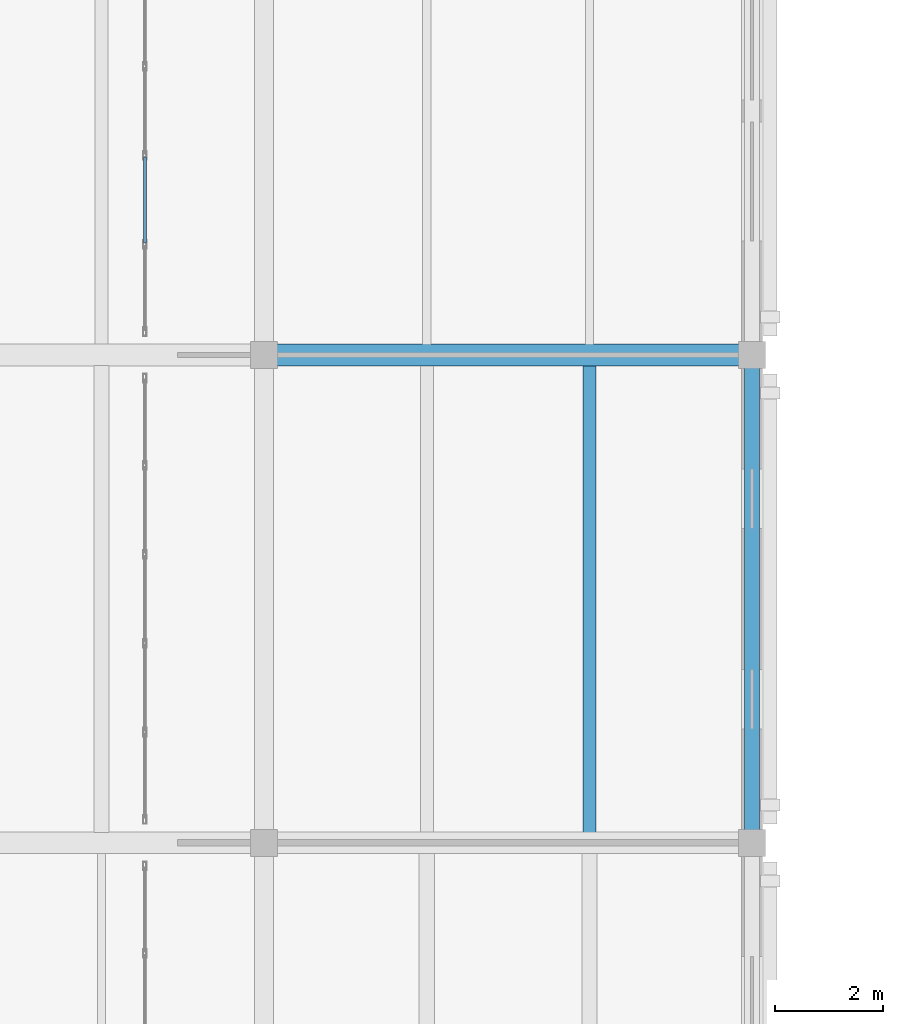
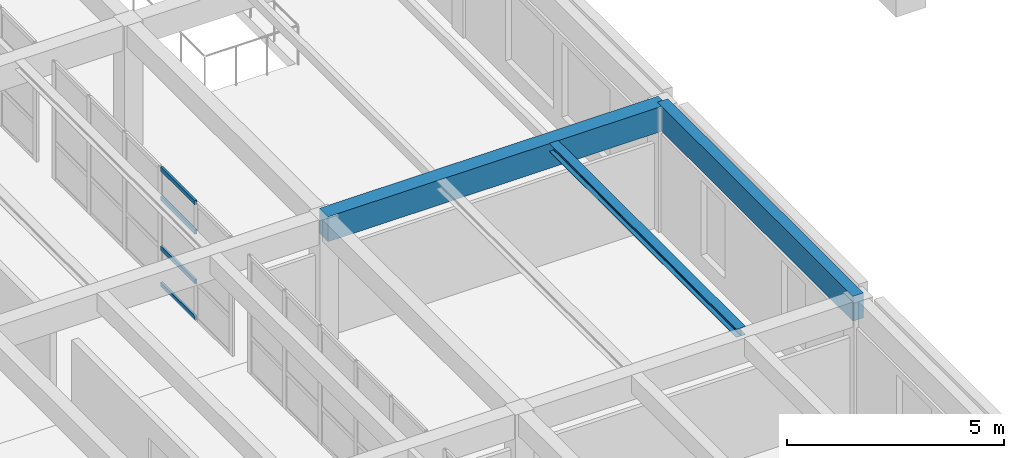
# One storey, part 16 of 156: 4 members, 3 beams, 1 element without a shape of its own.
"""IFC4 building model written with IfcOpenShell, lengths in metres."""

import ifcopenshell
import ifcopenshell.guid

model = None  # the IFC model being written
_history = None  # IfcOwnerHistory: only IFC2X3 demands one
_inside = {}  # id of a spatial element -> (the spatial element, [elements in it])
_under = {}  # id of a project, library or spatial element -> (it, [spatial elements below it])
_declared = {}  # id of a project -> (the project, [libraries it declares])
_typed = {}  # id of a type object -> (the type object, [elements of that type])
_made_of = {}  # id of a material, layer set ... -> (it, [elements and type objects made of it])


def new_model(schema):
    """Start an empty IFC model of exactly this schema.

    Asked for "IFC4X3", IfcOpenShell would pick the latest addendum, in which some entities
    have other attributes; the version numbers below select the first issue.
    IFC2X3 requires an IfcOwnerHistory on every rooted entity: one is made here for all.
    """
    global model, _history
    if schema == "IFC4X3":
        model = ifcopenshell.file(schema_version=(4, 3, 0, 0))
    else:
        model = ifcopenshell.file(schema=schema)
    _inside.clear()
    _under.clear()
    _declared.clear()
    _typed.clear()
    _made_of.clear()
    _history = None
    if model.schema == "IFC2X3":
        org = make("IfcOrganization", Name="unknown")
        user = make(
            "IfcPersonAndOrganization",
            ThePerson=make("IfcPerson", FamilyName="unknown"),
            TheOrganization=org,
        )
        app = make(
            "IfcApplication",
            ApplicationDeveloper=org,
            Version="unknown",
            ApplicationFullName="unknown",
            ApplicationIdentifier="unknown",
        )
        _history = make(
            "IfcOwnerHistory",
            OwningUser=user,
            OwningApplication=app,
            ChangeAction="ADDED",
            CreationDate=0,
        )
    return model


def make(cls, **values):
    """One entity of the class cls with the attributes given. An attribute that is None is left unset."""
    return model.create_entity(
        cls, **{name: value for name, value in values.items() if value is not None}
    )


def rooted(cls, **values):
    """An entity with a GlobalId (a new one), such as an element, a storey or a relation."""
    return make(cls, GlobalId=ifcopenshell.guid.new(), OwnerHistory=_history, **values)


def si_unit(unit_type, name, prefix=None):
    """IfcSIUnit, for example si_unit("LENGTHUNIT", "METRE", prefix="MILLI")."""
    return make("IfcSIUnit", UnitType=unit_type, Prefix=prefix, Name=name)


def assignment(units):
    """IfcUnitAssignment: the units of a project."""
    return None if units is None else make("IfcUnitAssignment", Units=units)


def point(xyz):
    """IfcCartesianPoint."""
    return None if xyz is None else make("IfcCartesianPoint", Coordinates=xyz)


def direction(xyz):
    """IfcDirection."""
    return None if xyz is None else make("IfcDirection", DirectionRatios=xyz)


def frame(location, z_axis=None, x_axis=None):
    """IfcAxis2Placement3D, a coordinate frame: its origin and axes. An axis left out is left unset."""
    return make(
        "IfcAxis2Placement3D",
        Location=point(location),
        Axis=direction(z_axis),
        RefDirection=direction(x_axis),
    )


def frame_2d(location, x_axis=None):
    """IfcAxis2Placement2D, a coordinate frame in the plane: its origin and x axis."""
    return make(
        "IfcAxis2Placement2D", Location=point(location), RefDirection=direction(x_axis)
    )


def origin():
    """The frame at (0, 0, 0) with its axes left unset."""
    return frame((0.0, 0.0, 0.0))


def origin_2d():
    """The frame at (0, 0) in the plane with its x axis left unset."""
    return frame_2d((0.0, 0.0))


def place(relative_to, where):
    """IfcLocalPlacement: puts the frame where relative to a parent placement (None: the world)."""
    return make(
        "IfcLocalPlacement", PlacementRelTo=relative_to, RelativePlacement=where
    )


def context(
    kind, dimensions, precision=None, world=None, true_north=None, identifier=None
):
    """IfcGeometricRepresentationContext, for example the 3D "Model" context."""
    return make(
        "IfcGeometricRepresentationContext",
        ContextIdentifier=identifier,
        ContextType=kind,
        CoordinateSpaceDimension=dimensions,
        Precision=precision,
        WorldCoordinateSystem=world,
        TrueNorth=true_north,
    )


def subcontext(parent, identifier, kind, view, scale=None):
    """IfcGeometricRepresentationSubContext, for example "Body" below "Model"."""
    return make(
        "IfcGeometricRepresentationSubContext",
        ContextIdentifier=identifier,
        ContextType=kind,
        ParentContext=parent,
        TargetScale=scale,
        TargetView=view,
    )


def project(units=None, contexts=None):
    """IfcProject with its units and contexts."""
    return rooted(
        "IfcProject",
        Name="project",
        RepresentationContexts=contexts,
        UnitsInContext=assignment(units),
    )


def spatial(cls, under=None, at=None, **own):
    """A site, building, storey or space (cls), placed at a placement, below another one or the project."""
    s = rooted(cls, ObjectPlacement=at, **own)
    if under is not None:
        _under.setdefault(under.id(), (under, []))[1].append(s)
    return s


def profile(cls, at=None, kind="AREA", **sizes):
    """A parametric profile (cls). Its sizes go by their IFC names, for example OverallWidth=200.0."""
    return make(cls, ProfileType=kind, Position=at, **sizes)


def rectangle(**sizes):
    """IfcRectangleProfileDef."""
    return profile("IfcRectangleProfileDef", **sizes)


def hollow_rectangle(**sizes):
    """IfcRectangleHollowProfileDef."""
    return profile("IfcRectangleHollowProfileDef", **sizes)


def i_section(**sizes):
    """IfcIShapeProfileDef."""
    return profile("IfcIShapeProfileDef", **sizes)


def extrude(swept, where, along, depth):
    """IfcExtrudedAreaSolid: the profile swept, set in the frame where, extruded along a direction by depth."""
    return make(
        "IfcExtrudedAreaSolid",
        SweptArea=swept,
        Position=where,
        ExtrudedDirection=direction(along),
        Depth=depth,
    )


def shape(context_of_items, identifier, shape_type, items):
    """IfcShapeRepresentation: the items that make up one representation, for example the "Body"."""
    return make(
        "IfcShapeRepresentation",
        ContextOfItems=context_of_items,
        RepresentationIdentifier=identifier,
        RepresentationType=shape_type,
        Items=items,
    )


def material(Name=None, Category=None):
    """IfcMaterial."""
    return make("IfcMaterial", Name=Name, Category=Category)


def layer(
    of_material, thickness, ventilated=None, Name=None, Category=None, Priority=None
):
    """IfcMaterialLayer: one layer of a wall or slab, of a material (None: an air gap)."""
    return make(
        "IfcMaterialLayer",
        Material=of_material,
        LayerThickness=thickness,
        IsVentilated=ventilated,
        Name=Name,
        Category=Category,
        Priority=Priority,
    )


def layer_set(layers, Name=None):
    """IfcMaterialLayerSet."""
    return make("IfcMaterialLayerSet", MaterialLayers=layers, LayerSetName=Name)


def material_profile(
    of_material, cross_section, Name=None, Category=None, Priority=None
):
    """IfcMaterialProfile: a cross section and its material."""
    return make(
        "IfcMaterialProfile",
        Name=Name,
        Material=of_material,
        Profile=cross_section,
        Priority=Priority,
        Category=Category,
    )


def profile_set(profiles, Name=None, composite=None):
    """IfcMaterialProfileSet."""
    return make(
        "IfcMaterialProfileSet",
        Name=Name,
        MaterialProfiles=profiles,
        CompositeProfile=composite,
    )


def made_of(thing, what):
    """Note that an element or type object is made of a material, layer set ...; save() writes the relation."""
    if what is not None:
        _made_of.setdefault(what.id(), (what, []))[1].append(thing)
    return thing


def type_object(cls, material=None, **own):
    """A type object (cls), such as IfcWallType, which elements share."""
    return made_of(rooted(cls, **own), material)


def element(
    cls,
    number,
    at=None,
    inside=None,
    cuts=None,
    type_object=None,
    material=None,
    context=None,
    identifier="Body",
    shape_type=None,
    held_by="IfcProductDefinitionShape",
    body=None,
    shapes=None,
    **own,
):
    """One element of the class cls, such as IfcWall. Its Tag is "e" and its number.

    at: its placement. inside: the storey or other place that contains it. cuts: it is an
    opening in that element (IfcRelVoidsElement). A single representation is given by context,
    identifier, shape_type and body (its items); several are given by shapes. held_by: the class
    of the entity that holds the representations. save() writes the other relations.
    """
    e = rooted(cls, Tag="e%d" % number, ObjectPlacement=at, **own)
    if body is not None:
        shapes = [shape(context, identifier, shape_type, body)]
    if shapes is not None:
        e.Representation = make(held_by, Representations=shapes)
    if inside is not None:
        _inside.setdefault(inside.id(), (inside, []))[1].append(e)
    if cuts is not None:
        rooted(
            "IfcRelVoidsElement", RelatingBuildingElement=cuts, RelatedOpeningElement=e
        )
    if type_object is not None:
        _typed.setdefault(type_object.id(), (type_object, []))[1].append(e)
    return made_of(e, material)


def aggregate(whole, parts):
    """IfcRelAggregates: a whole, such as a stair, and the parts it consists of."""
    return rooted("IfcRelAggregates", RelatingObject=whole, RelatedObjects=parts)


def save(model, path):
    """Write the relations noted so far, then the file.

    IfcRelAggregates (storeys below a building ...), IfcRelContainedInSpatialStructure (elements
    in a storey), IfcRelDefinesByType, IfcRelAssociatesMaterial and IfcRelDeclares: one each for
    every whole, place, type object, material and project.
    """
    for whole, parts in _under.values():
        aggregate(whole, parts)
    for where, things in _inside.values():
        rooted(
            "IfcRelContainedInSpatialStructure",
            RelatedElements=things,
            RelatingStructure=where,
        )
    for kind, things in _typed.values():
        rooted("IfcRelDefinesByType", RelatedObjects=things, RelatingType=kind)
    for what, things in _made_of.values():
        rooted("IfcRelAssociatesMaterial", RelatedObjects=things, RelatingMaterial=what)
    for by, libraries in _declared.values():
        rooted("IfcRelDeclares", RelatingContext=by, RelatedDefinitions=libraries)
    model.write(path)


model = new_model("IFC4")

# Units and contexts
model_context = context("Model", 3, precision=1e-05, world=origin(), true_north=direction((0.0, 1.0)))
body_context = subcontext(model_context, "Body", "Model", "MODEL_VIEW")
ifc_project = project(units=[si_unit("LENGTHUNIT", "METRE"), si_unit("AREAUNIT", "SQUARE_METRE"), si_unit("VOLUMEUNIT", "CUBIC_METRE"), si_unit("PLANEANGLEUNIT", "RADIAN"), si_unit("MASSUNIT", "GRAM", prefix="KILO")], contexts=[model_context])

# Site, building, storey
site_placement = place(None, origin())
site = spatial("IfcSite", under=ifc_project, at=site_placement, CompositionType="ELEMENT")
building_placement = place(site_placement, origin())
building = spatial("IfcBuilding", under=site, at=building_placement, Name="Ornek Quay Market", CompositionType="ELEMENT")
storey_placement = place(building_placement, frame((0.0, 0.0, 4.5)))
storey = spatial("IfcBuildingStorey", under=building, at=storey_placement, Name="L01", CompositionType="ELEMENT", Elevation=4.5)

# Beams
ifc_material_1 = material(Name="Concrete C35/45", Category="concrete")
ifc_material_profile_1 = material_profile(ifc_material_1, rectangle(XDim=0.280029296875, YDim=0.699951171875, at=origin_2d()), Name="RC 280x700", Category="concrete")
ifc_profile_set_1 = profile_set([ifc_material_profile_1], Name="Concrete C35/45")
beam_type_1 = type_object("IfcBeamType", Name="BM-SPN-280x700", PredefinedType="SPANDREL", material=ifc_profile_set_1)
beam_1_placement = place(storey_placement, frame((27.0, 38.0, 3.1298828125), z_axis=(0.0, 1.0, 0.0), x_axis=(-1.0, 0.0, 0.0)))
element("IfcBeam", 1, at=beam_1_placement, inside=storey, type_object=beam_type_1, Name="Primary beam B-SP2-014", PredefinedType="SPANDREL", context=body_context, shape_type="SweptSolid", body=[
    extrude(rectangle(XDim=0.280029296875, YDim=0.699951171875, at=origin_2d()), origin(), (0.0, 0.0, 1.0), 9.0),
])
ifc_material_2 = material(Name="Steel S355", Category="steel")
ifc_material_profile_2 = material_profile(ifc_material_2, i_section(OverallWidth=0.239990234375, OverallDepth=0.22998046875, WebThickness=0.007568359375, FlangeThickness=0.011962890625, FilletRadius=0.02099609375, at=origin_2d()), Name="HEA 240", Category="steel")
ifc_profile_set_2 = profile_set([ifc_material_profile_2], Name="Steel S355")
beam_type_2 = type_object("IfcBeamType", Name="BM-STL-HEA240", PredefinedType="BEAM", material=ifc_profile_set_2)
beam_2_placement = place(storey_placement, frame((24.0, 38.19189453125, 3.364990234375), z_axis=(0.0, 1.0, 0.0), x_axis=(-1.0, 0.0, 0.0)))
element("IfcBeam", 2, at=beam_2_placement, inside=storey, type_object=beam_type_2, Name="Secondary joist SB-14-010", PredefinedType="BEAM", context=body_context, shape_type="SweptSolid", body=[
    extrude(i_section(OverallWidth=0.239990234375, OverallDepth=0.22998046875, WebThickness=0.007568359375, FlangeThickness=0.011962890625, FilletRadius=0.02099609375, at=origin_2d()), origin(), (0.0, 0.0, 1.0), 8.6162109375),
])
ifc_material_profile_3 = material_profile(ifc_material_1, rectangle(XDim=0.39990234375, YDim=0.699951171875, at=origin_2d()), Name="RC 400x700", Category="concrete")
ifc_profile_set_3 = profile_set([ifc_material_profile_3], Name="Concrete C35/45")
beam_type_3 = type_object("IfcBeamType", Name="BM-WW-400x700", PredefinedType="BEAM", material=ifc_profile_set_3)
beam_3_placement = place(storey_placement, frame((18.0, 47.0, 3.1298828125), z_axis=(1.0, 0.0, 0.0), x_axis=(0.0, 1.0, 0.0)))
element("IfcBeam", 3, at=beam_3_placement, inside=storey, type_object=beam_type_3, Name="Primary beam B-WW1-056", PredefinedType="BEAM", context=body_context, shape_type="SweptSolid", body=[
    extrude(rectangle(XDim=0.39990234375, YDim=0.699951171875, at=origin_2d()), origin(), (0.0, 0.0, 1.0), 9.0),
])

# Curtain wall, members
ifc_material_3 = material(Name="Anodised bronze aluminium and triple low-e glass", Category="aluminium")
ifc_layer = layer(ifc_material_3, 0.179931640625, Name="Anodised bronze aluminium and triple low-e glass", Category="aluminium")
ifc_layer_set = layer_set([ifc_layer], Name="Anodised bronze aluminium and triple low-e glass")
curtain_wall_type = type_object("IfcCurtainWallType", Name="CW-CONC-MOD1500", PredefinedType="USERDEFINED", material=ifc_layer_set)
curtain_wall_placement = place(storey_placement, origin())
curtain_wall = element("IfcCurtainWall", 4, at=curtain_wall_placement, inside=storey, type_object=curtain_wall_type, Name="Curtain wall CW-137", ObjectType="CURTAIN WALL", PredefinedType="USERDEFINED")
ifc_material_4 = material(Name="Anodised aluminium 6063-T6", Category="aluminium")
ifc_material_profile_4 = material_profile(ifc_material_4, hollow_rectangle(XDim=0.06005859375, YDim=0.1201171875, WallThickness=0.00390625, at=origin_2d()), Name="CW-TRN-60x120", Category="aluminium")
ifc_profile_set_4 = profile_set([ifc_material_profile_4], Name="Anodised aluminium 6063-T6")
member_type = type_object("IfcMemberType", Name="CW-TRN-60x120", PredefinedType="USERDEFINED", material=ifc_profile_set_4)
member_1_placement = place(storey_placement, frame((15.800048828125, 49.070068359375, 0.030029296875), z_axis=(0.0, 1.0, 0.0), x_axis=(-1.0, 0.0, 0.0)))
member_1 = element("IfcMember", 5, at=member_1_placement, type_object=member_type, Name="CW-137 transom 2.1", ObjectType="TRANSOM", PredefinedType="USERDEFINED", context=body_context, shape_type="SweptSolid", body=[
    extrude(hollow_rectangle(XDim=0.06005859375, YDim=0.1201171875, WallThickness=0.00390625, at=origin_2d()), origin(), (0.0, 0.0, 1.0), 1.579833984375),
])
member_2_placement = place(storey_placement, frame((15.800048828125, 49.070068359375, 1.050048828125), z_axis=(0.0, 1.0, 0.0), x_axis=(-1.0, 0.0, 0.0)))
member_2 = element("IfcMember", 6, at=member_2_placement, type_object=member_type, Name="CW-137 transom 2.2", ObjectType="TRANSOM", PredefinedType="USERDEFINED", context=body_context, shape_type="SweptSolid", body=[
    extrude(hollow_rectangle(XDim=0.06005859375, YDim=0.1201171875, WallThickness=0.00390625, at=origin_2d()), origin(), (0.0, 0.0, 1.0), 1.579833984375),
])
member_3_placement = place(storey_placement, frame((15.800048828125, 49.070068359375, 2.449951171875), z_axis=(0.0, 1.0, 0.0), x_axis=(-1.0, 0.0, 0.0)))
member_3 = element("IfcMember", 7, at=member_3_placement, type_object=member_type, Name="CW-137 transom 2.3", ObjectType="TRANSOM", PredefinedType="USERDEFINED", context=body_context, shape_type="SweptSolid", body=[
    extrude(hollow_rectangle(XDim=0.06005859375, YDim=0.1201171875, WallThickness=0.00390625, at=origin_2d()), origin(), (0.0, 0.0, 1.0), 1.579833984375),
])
member_4_placement = place(storey_placement, frame((15.800048828125, 49.070068359375, 3.27001953125), z_axis=(0.0, 1.0, 0.0), x_axis=(-1.0, 0.0, 0.0)))
member_4 = element("IfcMember", 8, at=member_4_placement, type_object=member_type, Name="CW-137 transom 2.4", ObjectType="TRANSOM", PredefinedType="USERDEFINED", context=body_context, shape_type="SweptSolid", body=[
    extrude(hollow_rectangle(XDim=0.06005859375, YDim=0.1201171875, WallThickness=0.00390625, at=origin_2d()), origin(), (0.0, 0.0, 1.0), 1.579833984375),
])
aggregate(curtain_wall, [member_1, member_2, member_3, member_4])

save(model, "model.ifc")
